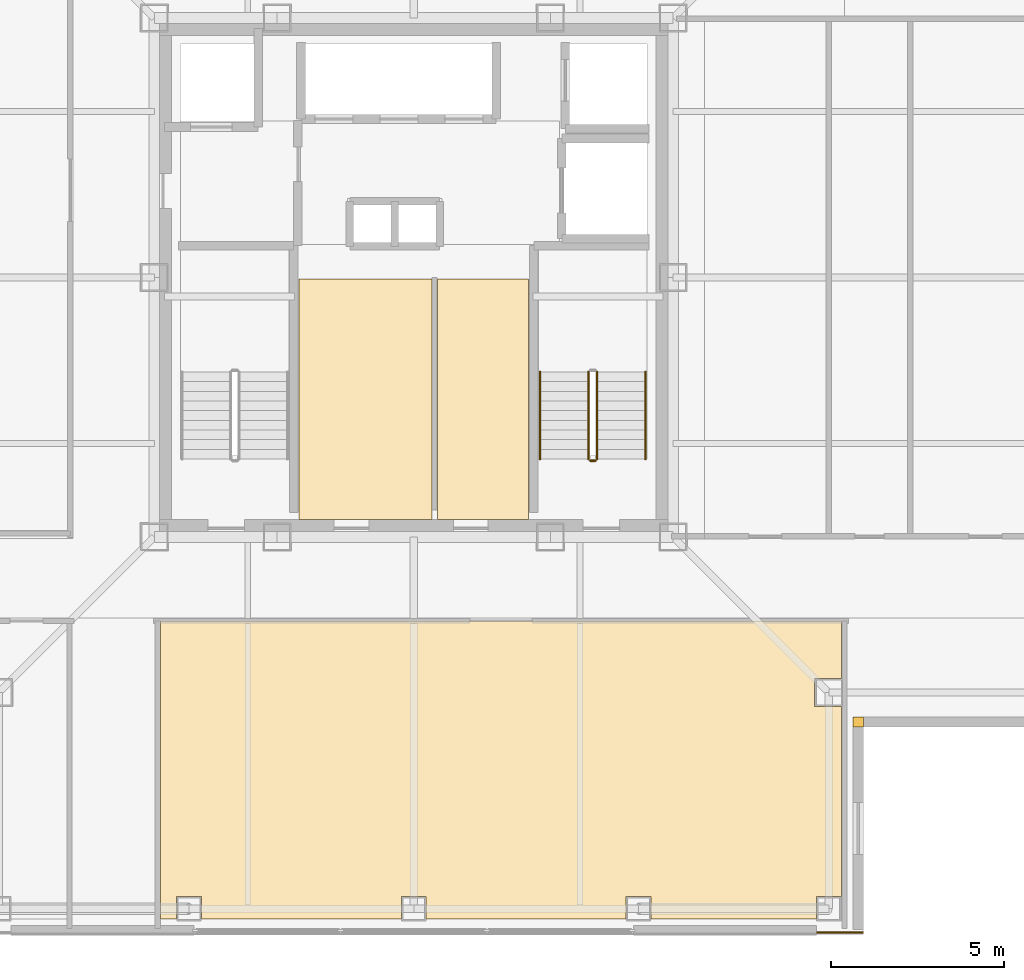
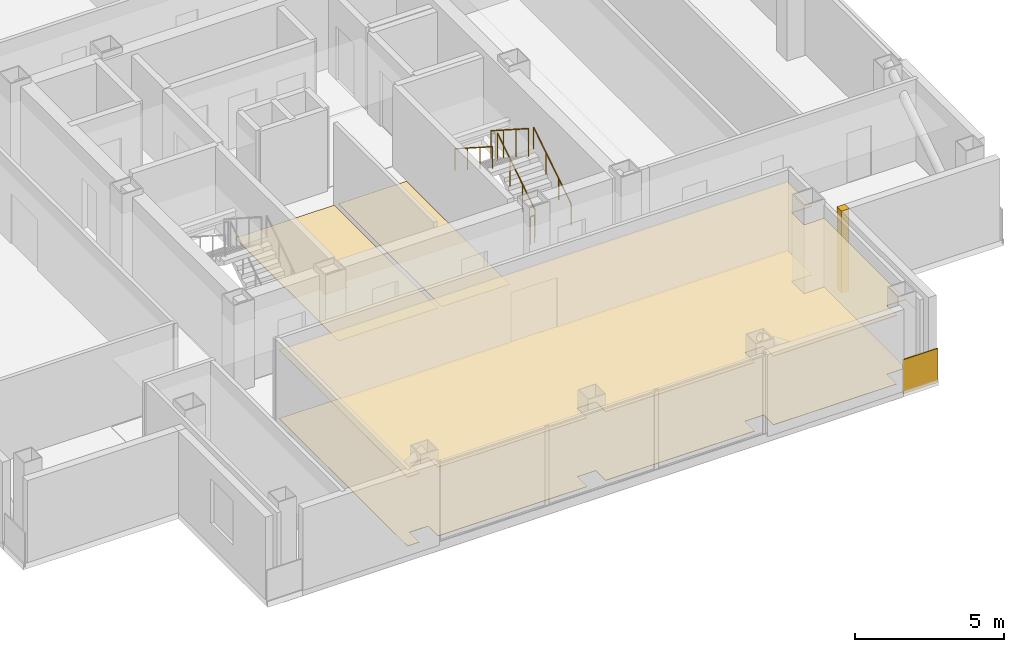
# One storey, part 12 of 16: 6 coverings, 5 railings.
"""IFC4 building model written with IfcOpenShell, lengths in metres."""

from ifc_helpers import new_model, si_unit, direction, frame, frame_2d, origin, origin_2d, place, context, subcontext, project, spatial, polyline, rectangle, circle, outline, extrude, material, layer, layer_set, type_object, element, save


model = new_model("IFC4")

# Units and contexts
model_context = context("Model", 3, precision=1e-05, world=origin(), true_north=direction((0.0, 1.0)))
body_context = subcontext(model_context, "Body", "Model", "MODEL_VIEW")
ifc_project = project(units=[si_unit("LENGTHUNIT", "METRE"), si_unit("AREAUNIT", "SQUARE_METRE"), si_unit("VOLUMEUNIT", "CUBIC_METRE"), si_unit("PLANEANGLEUNIT", "RADIAN"), si_unit("MASSUNIT", "GRAM", prefix="KILO")], contexts=[model_context])

# Site, building, storey
site_placement = place(None, origin())
site = spatial("IfcSite", under=ifc_project, at=site_placement, CompositionType="ELEMENT")
building_placement = place(site_placement, origin())
building = spatial("IfcBuilding", under=site, at=building_placement, Name="Trevonay Congress Spire", CompositionType="ELEMENT")
storey_placement = place(building_placement, frame((0.0, 0.0, 246.800048828125)))
storey = spatial("IfcBuildingStorey", under=building, at=storey_placement, Name="L64", CompositionType="ELEMENT", Elevation=246.800048828125)

# Coverings
ifc_material_1 = material(Name="Acoustic Mineral Fibre Board", Category="gypsum")
ifc_layer_1 = layer(ifc_material_1, 0.02490234375, Name="Acoustic Mineral Fibre Board")
ifc_layer_set_1 = layer_set([ifc_layer_1], Name="Acoustic Mineral Fibre Board")
covering_type_1 = type_object("IfcCoveringType", Name="COV-CEIL-ACOUSTIC", PredefinedType="CEILING", material=ifc_layer_set_1)
covering_1_placement = place(storey_placement, frame((0.0, 0.0, 2.81005859375)))
element("IfcCovering", 1, at=covering_1_placement, inside=storey, type_object=covering_type_1, Name="L64 South Atlantic Multilateral Summit Chamber acoustic suspended ceiling", PredefinedType="CEILING", context=body_context, shape_type="SweptSolid", body=[
    extrude(outline(polyline([(-7.320068359375, -18.550048828125), (-7.320068359375, -9.929931640625), (12.3701171875, -9.929931640625), (12.3701171875, -11.590087890625), (11.590087890625, -11.590087890625), (11.590087890625, -12.409912109375), (12.3701171875, -12.409912109375), (12.3701171875, -18.550048828125), (12.360107421875, -18.550048828125), (12.360107421875, -17.889892578125), (11.639892578125, -17.889892578125), (11.639892578125, -18.550048828125), (6.860107421875, -18.550048828125), (6.860107421875, -17.889892578125), (6.139892578125, -17.889892578125), (6.139892578125, -18.550048828125), (0.360107421875, -18.550048828125), (0.360107421875, -17.889892578125), (-0.360107421875, -17.889892578125), (-0.360107421875, -18.550048828125), (-6.139892578125, -18.550048828125), (-6.139892578125, -17.889892578125), (-6.860107421875, -17.889892578125), (-6.860107421875, -18.550048828125), (-7.320068359375, -18.550048828125)])), origin(), (0.0, 0.0, 1.0), 0.02490234375),
])
ifc_material_2 = material(Name="Polished Granite Floor Tile", Category="masonry")
ifc_layer_2 = layer(ifc_material_2, 0.02001953125, Name="Polished Granite Floor Tile")
ifc_layer_set_2 = layer_set([ifc_layer_2], Name="Polished Granite Floor Tile")
covering_type_2 = type_object("IfcCoveringType", Name="COV-FLOOR-STONE", PredefinedType="FLOORING", material=ifc_layer_set_2)
covering_2_placement = place(storey_placement, origin())
element("IfcCovering", 2, at=covering_2_placement, inside=storey, type_object=covering_type_2, Name="L64 Core Electrical Sub-Board Room floor finish", PredefinedType="FLOORING", context=body_context, shape_type="SweptSolid", body=[
    extrude(outline(polyline([(-3.320068359375, -7.0), (0.52001953125, -7.0), (0.52001953125, -0.050048828125), (-3.320068359375, -0.050048828125), (-3.320068359375, -7.0)])), origin(), (0.0, 0.0, 1.0), 0.02001953125),
])
covering_3_placement = place(storey_placement, origin())
element("IfcCovering", 3, at=covering_3_placement, inside=storey, type_object=covering_type_2, Name="L64 Cleaner and Housekeeping Store floor finish", PredefinedType="FLOORING", context=body_context, shape_type="SweptSolid", body=[
    extrude(outline(polyline([(0.679931640625, -7.0), (3.320068359375, -7.0), (3.320068359375, -0.050048828125), (0.679931640625, -0.050048828125), (0.679931640625, -7.0)])), origin(), (0.0, 0.0, 1.0), 0.02001953125),
])
ifc_material_3 = material(Name="Engineered Oak Flooring", Category="wood")
ifc_layer_3 = layer(ifc_material_3, 0.01806640625, Name="Engineered Oak Flooring")
ifc_layer_set_3 = layer_set([ifc_layer_3], Name="Engineered Oak Flooring")
covering_type_3 = type_object("IfcCoveringType", Name="COV-FLOOR-TIMBER", PredefinedType="FLOORING", material=ifc_layer_set_3)
covering_4_placement = place(storey_placement, origin())
element("IfcCovering", 4, at=covering_4_placement, inside=storey, type_object=covering_type_3, Name="L64 South Atlantic Multilateral Summit Chamber floor finish", PredefinedType="FLOORING", context=body_context, shape_type="SweptSolid", body=[
    extrude(outline(polyline([(-7.320068359375, -18.550048828125), (-7.320068359375, -9.929931640625), (12.3701171875, -9.929931640625), (12.3701171875, -11.590087890625), (11.590087890625, -11.590087890625), (11.590087890625, -12.409912109375), (12.3701171875, -12.409912109375), (12.3701171875, -18.550048828125), (12.360107421875, -18.550048828125), (12.360107421875, -17.889892578125), (11.639892578125, -17.889892578125), (11.639892578125, -18.550048828125), (6.860107421875, -18.550048828125), (6.860107421875, -17.889892578125), (6.139892578125, -17.889892578125), (6.139892578125, -18.550048828125), (0.360107421875, -18.550048828125), (0.360107421875, -17.889892578125), (-0.360107421875, -17.889892578125), (-0.360107421875, -18.550048828125), (-6.139892578125, -18.550048828125), (-6.139892578125, -17.889892578125), (-6.860107421875, -17.889892578125), (-6.860107421875, -18.550048828125), (-7.320068359375, -18.550048828125)])), origin(), (0.0, 0.0, 1.0), 0.01806640625),
])
ifc_material_4 = material(Name="Pale Anodised Aluminium EN AW-6063-T6", Category="aluminium")
ifc_layer_4 = layer(ifc_material_4, 0.0400390625, Name="Pale Anodised Aluminium EN AW-6063-T6")
ifc_layer_set_4 = layer_set([ifc_layer_4], Name="Pale Anodised Aluminium EN AW-6063-T6")
covering_type_4 = type_object("IfcCoveringType", Name="COV-SPANDREL-PALE-METAL", PredefinedType="CLADDING", material=ifc_layer_set_4)
covering_5_placement = place(storey_placement, origin())
element("IfcCovering", 5, at=covering_5_placement, inside=storey, type_object=covering_type_4, Name="L64 SE re-entrant notch corner closure trim", PredefinedType="CLADDING", context=body_context, shape_type="SweptSolid", body=[
    extrude(outline(polyline([(12.699951171875, -13.0), (13.0, -13.0), (13.0, -12.699951171875), (12.699951171875, -12.699951171875), (12.699951171875, -13.0)])), origin(), (0.0, 0.0, 1.0), 3.35986328125),
])
covering_6_placement = place(storey_placement, frame((11.64990234375, -18.93994140625, -0.150146484375), z_axis=(0.0, 0.0, 1.0), x_axis=(1.0, 0.0, 0.0)))
element("IfcCovering", 6, at=covering_6_placement, inside=storey, type_object=covering_type_4, Name="L64 SE corner pier spandrel cladding 2", PredefinedType="CLADDING", context=body_context, shape_type="SweptSolid", body=[
    extrude(rectangle(XDim=1.35009765625, YDim=0.0400390625, at=frame_2d((0.675048828125, 0.0))), origin(), (0.0, 0.0, 1.0), 1.400146484375),
])

# Railings
railing_type_1 = type_object("IfcRailingType", Name="RAL-STAIR-GUARD-110", PredefinedType="GUARDRAIL", material=ifc_material_4)
railing_1_placement = place(storey_placement, frame((5.300048828125, -5.25, 0.179931640625)))
element("IfcRailing", 7, at=railing_1_placement, inside=storey, type_object=railing_type_1, Name="L64 ST-2 stair guard 1", PredefinedType="GUARDRAIL", context=body_context, shape_type="SweptSolid", body=[
    extrude(circle(Radius=0.02392578125, at=origin_2d()), frame((0.0, 0.0, 1.1259765625), z_axis=(0.0, 0.841162588446, 0.540782303519), x_axis=(-1.0, 0.0, 0.0)), (0.0, 0.0, 1.0), 2.995849609375),
    extrude(circle(Radius=0.02099609375, at=origin_2d()), origin(), (0.0, 0.0, 1.0), 1.101806640625),
    extrude(circle(Radius=0.02099609375, at=origin_2d()), frame((0.0, 0.840087890625, 0.5400390625)), (0.0, 0.0, 1.0), 1.101806640625),
    extrude(circle(Radius=0.02099609375, at=origin_2d()), frame((0.0, 1.679931640625, 1.080078125)), (0.0, 0.0, 1.0), 1.101806640625),
    extrude(circle(Radius=0.02099609375, at=origin_2d()), frame((0.0, 2.52001953125, 1.6201171875)), (0.0, 0.0, 1.0), 1.101806640625),
])
railing_2_placement = place(storey_placement, frame((5.050048828125, -2.72998046875, 1.97998046875)))
element("IfcRailing", 8, at=railing_2_placement, inside=storey, type_object=railing_type_1, Name="L64 ST-2 stair guard 3", PredefinedType="GUARDRAIL", context=body_context, shape_type="SweptSolid", body=[
    extrude(circle(Radius=0.02392578125, at=origin_2d()), frame((0.0, 0.0, 1.1259765625), z_axis=(0.0, -0.841199657755, 0.540724639528), x_axis=(1.0, 0.0, 0.0)), (0.0, 0.0, 1.0), 2.995849609375),
    extrude(circle(Radius=0.02099609375, at=origin_2d()), origin(), (0.0, 0.0, 1.0), 1.101806640625),
    extrude(circle(Radius=0.02099609375, at=origin_2d()), frame((0.0, -0.840087890625, 0.5400390625)), (0.0, 0.0, 1.0), 1.101806640625),
    extrude(circle(Radius=0.02099609375, at=origin_2d()), frame((0.0, -1.679931640625, 1.079833984375)), (0.0, 0.0, 1.0), 1.101806640625),
    extrude(circle(Radius=0.02099609375, at=origin_2d()), frame((0.0, -2.52001953125, 1.619873046875)), (0.0, 0.0, 1.0), 1.101806640625),
])
railing_3_placement = place(storey_placement, frame((5.25, -5.300048828125, 0.0)))
element("IfcRailing", 9, at=railing_3_placement, inside=storey, type_object=railing_type_1, Name="L64 ST-2 stair guard 4", PredefinedType="GUARDRAIL", context=body_context, shape_type="SweptSolid", body=[
    extrude(circle(Radius=0.02392578125, at=origin_2d()), frame((0.0, 0.0, 1.1259765625), z_axis=(-1.0, 0.0, 0.0), x_axis=(0.0, -1.0, 0.0)), (0.0, 0.0, 1.0), 0.14990234375),
    extrude(circle(Radius=0.02099609375, at=origin_2d()), origin(), (0.0, 0.0, 1.0), 1.101806640625),
    extrude(circle(Radius=0.02099609375, at=origin_2d()), frame((-0.14990234375, 0.0, 0.0)), (0.0, 0.0, 1.0), 1.101806640625),
])
railing_type_2 = type_object("IfcRailingType", Name="RAL-STAIR-HANDRAIL", PredefinedType="HANDRAIL", material=ifc_material_4)
railing_4_placement = place(storey_placement, frame((6.699951171875, -5.25, 0.179931640625)))
element("IfcRailing", 10, at=railing_4_placement, inside=storey, type_object=railing_type_2, Name="L64 ST-2 stair handrail 1", PredefinedType="HANDRAIL", context=body_context, shape_type="SweptSolid", body=[
    extrude(circle(Radius=0.02392578125, at=origin_2d()), frame((0.0, 0.0, 0.8759765625), z_axis=(0.0, 0.841162588446, 0.540782303519), x_axis=(-1.0, 0.0, 0.0)), (0.0, 0.0, 1.0), 2.995849609375),
    extrude(circle(Radius=0.02099609375, at=origin_2d()), origin(), (0.0, 0.0, 1.0), 0.851806640625),
    extrude(circle(Radius=0.02099609375, at=origin_2d()), frame((0.0, 0.840087890625, 0.5400390625)), (0.0, 0.0, 1.0), 0.851806640625),
    extrude(circle(Radius=0.02099609375, at=origin_2d()), frame((0.0, 1.679931640625, 1.080078125)), (0.0, 0.0, 1.0), 0.851806640625),
    extrude(circle(Radius=0.02099609375, at=origin_2d()), frame((0.0, 2.52001953125, 1.6201171875)), (0.0, 0.0, 1.0), 0.851806640625),
])
railing_5_placement = place(storey_placement, frame((3.64990234375, -2.72998046875, 1.97998046875)))
element("IfcRailing", 11, at=railing_5_placement, inside=storey, type_object=railing_type_2, Name="L64 ST-2 stair handrail 2", PredefinedType="HANDRAIL", context=body_context, shape_type="SweptSolid", body=[
    extrude(circle(Radius=0.02392578125, at=origin_2d()), frame((0.0, 0.0, 0.8759765625), z_axis=(0.0, -0.841199657755, 0.540724639528), x_axis=(1.0, 0.0, 0.0)), (0.0, 0.0, 1.0), 2.995849609375),
    extrude(circle(Radius=0.02099609375, at=origin_2d()), origin(), (0.0, 0.0, 1.0), 0.851806640625),
    extrude(circle(Radius=0.02099609375, at=origin_2d()), frame((0.0, -0.840087890625, 0.5400390625)), (0.0, 0.0, 1.0), 0.851806640625),
    extrude(circle(Radius=0.02099609375, at=origin_2d()), frame((0.0, -1.679931640625, 1.079833984375)), (0.0, 0.0, 1.0), 0.851806640625),
    extrude(circle(Radius=0.02099609375, at=origin_2d()), frame((0.0, -2.52001953125, 1.619873046875)), (0.0, 0.0, 1.0), 0.851806640625),
])

save(model, "model.ifc")
